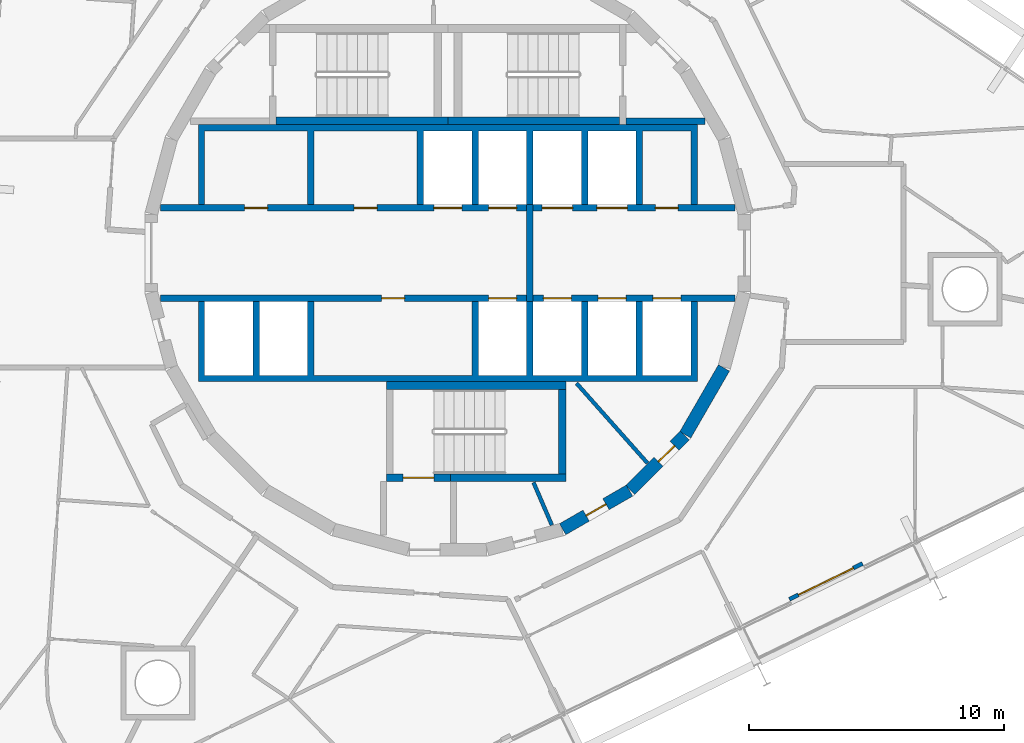
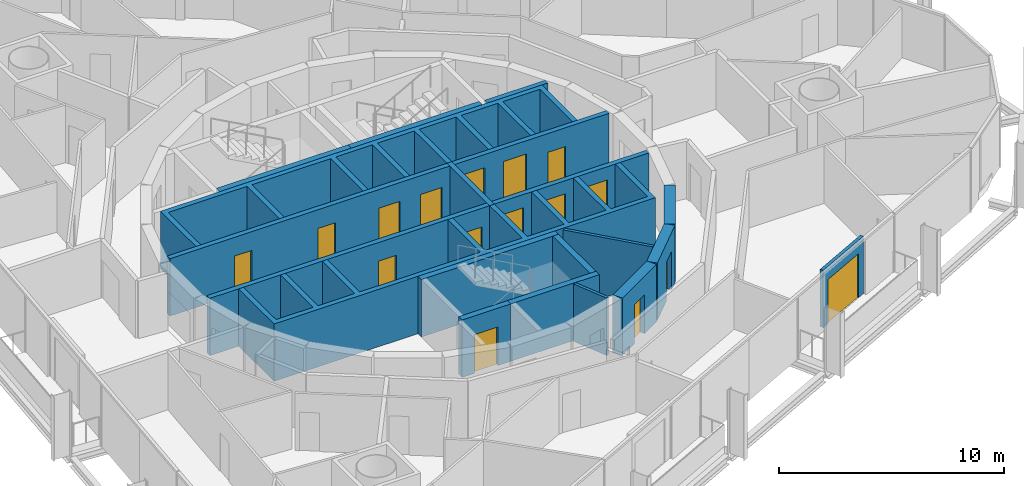
# One storey, part 13 of 17: 20 walls, 16 doors, 16 openings.
"""IFC4 building model written with IfcOpenShell, lengths in metres."""

import ifcopenshell
import ifcopenshell.guid

model = None  # the IFC model being written
_history = None  # IfcOwnerHistory: only IFC2X3 demands one
_inside = {}  # id of a spatial element -> (the spatial element, [elements in it])
_under = {}  # id of a project, library or spatial element -> (it, [spatial elements below it])
_declared = {}  # id of a project -> (the project, [libraries it declares])
_typed = {}  # id of a type object -> (the type object, [elements of that type])
_made_of = {}  # id of a material, layer set ... -> (it, [elements and type objects made of it])


def new_model(schema):
    """Start an empty IFC model of exactly this schema.

    Asked for "IFC4X3", IfcOpenShell would pick the latest addendum, in which some entities
    have other attributes; the version numbers below select the first issue.
    IFC2X3 requires an IfcOwnerHistory on every rooted entity: one is made here for all.
    """
    global model, _history
    if schema == "IFC4X3":
        model = ifcopenshell.file(schema_version=(4, 3, 0, 0))
    else:
        model = ifcopenshell.file(schema=schema)
    _inside.clear()
    _under.clear()
    _declared.clear()
    _typed.clear()
    _made_of.clear()
    _history = None
    if model.schema == "IFC2X3":
        org = make("IfcOrganization", Name="unknown")
        user = make(
            "IfcPersonAndOrganization",
            ThePerson=make("IfcPerson", FamilyName="unknown"),
            TheOrganization=org,
        )
        app = make(
            "IfcApplication",
            ApplicationDeveloper=org,
            Version="unknown",
            ApplicationFullName="unknown",
            ApplicationIdentifier="unknown",
        )
        _history = make(
            "IfcOwnerHistory",
            OwningUser=user,
            OwningApplication=app,
            ChangeAction="ADDED",
            CreationDate=0,
        )
    return model


def make(cls, **values):
    """One entity of the class cls with the attributes given. An attribute that is None is left unset."""
    return model.create_entity(
        cls, **{name: value for name, value in values.items() if value is not None}
    )


def rooted(cls, **values):
    """An entity with a GlobalId (a new one), such as an element, a storey or a relation."""
    return make(cls, GlobalId=ifcopenshell.guid.new(), OwnerHistory=_history, **values)


def si_unit(unit_type, name, prefix=None):
    """IfcSIUnit, for example si_unit("LENGTHUNIT", "METRE", prefix="MILLI")."""
    return make("IfcSIUnit", UnitType=unit_type, Prefix=prefix, Name=name)


def assignment(units):
    """IfcUnitAssignment: the units of a project."""
    return None if units is None else make("IfcUnitAssignment", Units=units)


def point(xyz):
    """IfcCartesianPoint."""
    return None if xyz is None else make("IfcCartesianPoint", Coordinates=xyz)


def direction(xyz):
    """IfcDirection."""
    return None if xyz is None else make("IfcDirection", DirectionRatios=xyz)


def frame(location, z_axis=None, x_axis=None):
    """IfcAxis2Placement3D, a coordinate frame: its origin and axes. An axis left out is left unset."""
    return make(
        "IfcAxis2Placement3D",
        Location=point(location),
        Axis=direction(z_axis),
        RefDirection=direction(x_axis),
    )


def frame_2d(location, x_axis=None):
    """IfcAxis2Placement2D, a coordinate frame in the plane: its origin and x axis."""
    return make(
        "IfcAxis2Placement2D", Location=point(location), RefDirection=direction(x_axis)
    )


def origin():
    """The frame at (0, 0, 0) with its axes left unset."""
    return frame((0.0, 0.0, 0.0))


def place(relative_to, where):
    """IfcLocalPlacement: puts the frame where relative to a parent placement (None: the world)."""
    return make(
        "IfcLocalPlacement", PlacementRelTo=relative_to, RelativePlacement=where
    )


def context(
    kind, dimensions, precision=None, world=None, true_north=None, identifier=None
):
    """IfcGeometricRepresentationContext, for example the 3D "Model" context."""
    return make(
        "IfcGeometricRepresentationContext",
        ContextIdentifier=identifier,
        ContextType=kind,
        CoordinateSpaceDimension=dimensions,
        Precision=precision,
        WorldCoordinateSystem=world,
        TrueNorth=true_north,
    )


def subcontext(parent, identifier, kind, view, scale=None):
    """IfcGeometricRepresentationSubContext, for example "Body" below "Model"."""
    return make(
        "IfcGeometricRepresentationSubContext",
        ContextIdentifier=identifier,
        ContextType=kind,
        ParentContext=parent,
        TargetScale=scale,
        TargetView=view,
    )


def project(units=None, contexts=None):
    """IfcProject with its units and contexts."""
    return rooted(
        "IfcProject",
        Name="project",
        RepresentationContexts=contexts,
        UnitsInContext=assignment(units),
    )


def spatial(cls, under=None, at=None, **own):
    """A site, building, storey or space (cls), placed at a placement, below another one or the project."""
    s = rooted(cls, ObjectPlacement=at, **own)
    if under is not None:
        _under.setdefault(under.id(), (under, []))[1].append(s)
    return s


def polyline(points):
    """IfcPolyline through the points."""
    return make("IfcPolyline", Points=[point(p) for p in points])


def profile(cls, at=None, kind="AREA", **sizes):
    """A parametric profile (cls). Its sizes go by their IFC names, for example OverallWidth=200.0."""
    return make(cls, ProfileType=kind, Position=at, **sizes)


def rectangle(**sizes):
    """IfcRectangleProfileDef."""
    return profile("IfcRectangleProfileDef", **sizes)


def outline(outer, holes=None, kind="AREA"):
    """IfcArbitraryClosedProfileDef: a profile drawn as a closed curve; with holes, ...WithVoids."""
    if holes is None:
        return make("IfcArbitraryClosedProfileDef", ProfileType=kind, OuterCurve=outer)
    return make(
        "IfcArbitraryProfileDefWithVoids",
        ProfileType=kind,
        OuterCurve=outer,
        InnerCurves=holes,
    )


def extrude(swept, where, along, depth):
    """IfcExtrudedAreaSolid: the profile swept, set in the frame where, extruded along a direction by depth."""
    return make(
        "IfcExtrudedAreaSolid",
        SweptArea=swept,
        Position=where,
        ExtrudedDirection=direction(along),
        Depth=depth,
    )


def shape(context_of_items, identifier, shape_type, items):
    """IfcShapeRepresentation: the items that make up one representation, for example the "Body"."""
    return make(
        "IfcShapeRepresentation",
        ContextOfItems=context_of_items,
        RepresentationIdentifier=identifier,
        RepresentationType=shape_type,
        Items=items,
    )


def material(Name=None, Category=None):
    """IfcMaterial."""
    return make("IfcMaterial", Name=Name, Category=Category)


def layer(
    of_material, thickness, ventilated=None, Name=None, Category=None, Priority=None
):
    """IfcMaterialLayer: one layer of a wall or slab, of a material (None: an air gap)."""
    return make(
        "IfcMaterialLayer",
        Material=of_material,
        LayerThickness=thickness,
        IsVentilated=ventilated,
        Name=Name,
        Category=Category,
        Priority=Priority,
    )


def layer_set(layers, Name=None):
    """IfcMaterialLayerSet."""
    return make("IfcMaterialLayerSet", MaterialLayers=layers, LayerSetName=Name)


def made_of(thing, what):
    """Note that an element or type object is made of a material, layer set ...; save() writes the relation."""
    if what is not None:
        _made_of.setdefault(what.id(), (what, []))[1].append(thing)
    return thing


def type_object(cls, material=None, **own):
    """A type object (cls), such as IfcWallType, which elements share."""
    return made_of(rooted(cls, **own), material)


def element(
    cls,
    number,
    at=None,
    inside=None,
    cuts=None,
    type_object=None,
    material=None,
    context=None,
    identifier="Body",
    shape_type=None,
    held_by="IfcProductDefinitionShape",
    body=None,
    shapes=None,
    **own,
):
    """One element of the class cls, such as IfcWall. Its Tag is "e" and its number.

    at: its placement. inside: the storey or other place that contains it. cuts: it is an
    opening in that element (IfcRelVoidsElement). A single representation is given by context,
    identifier, shape_type and body (its items); several are given by shapes. held_by: the class
    of the entity that holds the representations. save() writes the other relations.
    """
    e = rooted(cls, Tag="e%d" % number, ObjectPlacement=at, **own)
    if body is not None:
        shapes = [shape(context, identifier, shape_type, body)]
    if shapes is not None:
        e.Representation = make(held_by, Representations=shapes)
    if inside is not None:
        _inside.setdefault(inside.id(), (inside, []))[1].append(e)
    if cuts is not None:
        rooted(
            "IfcRelVoidsElement", RelatingBuildingElement=cuts, RelatedOpeningElement=e
        )
    if type_object is not None:
        _typed.setdefault(type_object.id(), (type_object, []))[1].append(e)
    return made_of(e, material)


def fill(opening, filler):
    """IfcRelFillsElement: the door or window that sits in an opening."""
    return rooted(
        "IfcRelFillsElement",
        RelatingOpeningElement=opening,
        RelatedBuildingElement=filler,
    )


def aggregate(whole, parts):
    """IfcRelAggregates: a whole, such as a stair, and the parts it consists of."""
    return rooted("IfcRelAggregates", RelatingObject=whole, RelatedObjects=parts)


def save(model, path):
    """Write the relations noted so far, then the file.

    IfcRelAggregates (storeys below a building ...), IfcRelContainedInSpatialStructure (elements
    in a storey), IfcRelDefinesByType, IfcRelAssociatesMaterial and IfcRelDeclares: one each for
    every whole, place, type object, material and project.
    """
    for whole, parts in _under.values():
        aggregate(whole, parts)
    for where, things in _inside.values():
        rooted(
            "IfcRelContainedInSpatialStructure",
            RelatedElements=things,
            RelatingStructure=where,
        )
    for kind, things in _typed.values():
        rooted("IfcRelDefinesByType", RelatedObjects=things, RelatingType=kind)
    for what, things in _made_of.values():
        rooted("IfcRelAssociatesMaterial", RelatedObjects=things, RelatingMaterial=what)
    for by, libraries in _declared.values():
        rooted("IfcRelDeclares", RelatingContext=by, RelatedDefinitions=libraries)
    model.write(path)


model = new_model("IFC4")

# Units and contexts
model_context = context("Model", 3, precision=1e-05, world=origin(), true_north=direction((0.0, 1.0)))
body_context = subcontext(model_context, "Body", "Model", "MODEL_VIEW")
ifc_project = project(units=[si_unit("LENGTHUNIT", "METRE"), si_unit("AREAUNIT", "SQUARE_METRE"), si_unit("VOLUMEUNIT", "CUBIC_METRE"), si_unit("PLANEANGLEUNIT", "RADIAN"), si_unit("MASSUNIT", "GRAM", prefix="KILO")], contexts=[model_context])

# Site, building, storey
site_placement = place(None, origin())
site = spatial("IfcSite", under=ifc_project, at=site_placement, CompositionType="ELEMENT")
building_placement = place(site_placement, origin())
building = spatial("IfcBuilding", under=site, at=building_placement, Name="Spindle Arch Residences", CompositionType="ELEMENT")
storey_placement = place(building_placement, frame((0.0, 0.0, 209.39990234375)))
storey = spatial("IfcBuildingStorey", under=building, at=storey_placement, Name="L53", CompositionType="ELEMENT", Elevation=209.39990234375)

# Wall, opening, door
ifc_material_1 = material(Name="Concrete C50/60", Category="concrete")
ifc_layer_1 = layer(ifc_material_1, 0.5)
ifc_layer_set_1 = layer_set([ifc_layer_1], Name="Core outline wall 500")
wall_type_1 = type_object("IfcWallType", Name="Core outline wall 500", PredefinedType="SHEAR", material=ifc_layer_set_1)
wall_1_placement = place(storey_placement, frame((4.510498046875, -10.84521484375, 0.0), z_axis=(0.0, 0.0, 1.0), x_axis=(0.865975092491, 0.500087131594, 0.0)))
wall_1 = element("IfcWall", 1, at=wall_1_placement, inside=storey, type_object=wall_type_1, Name="Core outline wall 2", PredefinedType="SHEAR", context=body_context, shape_type="SweptSolid", body=[
    extrude(rectangle(XDim=3.03271484375, YDim=0.5, at=frame_2d((1.516357421875, 0.0))), origin(), (0.0, 0.0, 1.0), 3.1201171875),
])
opening_1_placement = place(wall_1_placement, frame((1.06640625, 0.0, 0.0)))
opening_1 = element("IfcOpeningElement", 2, at=opening_1_placement, cuts=wall_1, Name="Opening R5C0-WD08", PredefinedType="OPENING", context=body_context, shape_type="SweptSolid", body=[
    extrude(rectangle(XDim=0.89990234375, YDim=2.10009765625, at=frame_2d((0.449951171875, 1.050048828125))), frame((0.0, 0.260009765625, 0.0), z_axis=(0.0, -1.0, 0.0), x_axis=(1.0, 0.0, 0.0)), (0.0, 0.0, 1.0), 0.52001953125),
])
ifc_material_2 = material(Name="Steel, fire-resisting door", Category="steel")
door_type_1 = type_object("IfcDoorType", Name="Service room door 900x2100", OperationType="SINGLE_SWING_LEFT", PredefinedType="DOOR", material=ifc_material_2)
door_1_placement = place(opening_1_placement, origin())
door_1 = element("IfcDoor", 3, at=door_1_placement, inside=storey, type_object=door_type_1, Name="Service room door R5C0-WD08", OperationType="SINGLE_SWING_RIGHT", OverallHeight=2.10009765625, OverallWidth=0.89990234375, PredefinedType="DOOR", context=body_context, shape_type="SweptSolid", body=[
    extrude(rectangle(XDim=0.89990234375, YDim=2.10009765625, at=frame_2d((0.449951171875, 1.050048828125))), frame((0.0, 0.02490234375, 0.0), z_axis=(0.0, -1.0, 0.0), x_axis=(1.0, 0.0, 0.0)), (0.0, 0.0, 1.0), 0.050048828125),
])
fill(opening_1, door_1)

wall_2_placement = place(storey_placement, frame((7.163818359375, -9.30810546875, 0.0), z_axis=(0.0, 0.0, 1.0), x_axis=(0.707106781187, 0.707106781187, 0.0)))
wall_2 = element("IfcWall", 4, at=wall_2_placement, inside=storey, type_object=wall_type_1, Name="Core outline wall 3", PredefinedType="SHEAR", context=body_context, shape_type="SweptSolid", body=[
    extrude(rectangle(XDim=3.032470703125, YDim=0.5, at=frame_2d((1.51611328125, 0.0))), origin(), (0.0, 0.0, 1.0), 3.1201171875),
])
opening_2_placement = place(wall_2_placement, frame((1.56640625, 0.0, 0.0)))
opening_2 = element("IfcOpeningElement", 5, at=opening_2_placement, cuts=wall_2, Name="Opening R5C0-WD06", PredefinedType="OPENING", context=body_context, shape_type="SweptSolid", body=[
    extrude(rectangle(XDim=0.89990234375, YDim=2.10009765625, at=frame_2d((0.449951171875, 1.050048828125))), frame((0.0, 0.260009765625, 0.0), z_axis=(0.0, -1.0, 0.0), x_axis=(1.0, 0.0, 0.0)), (0.0, 0.0, 1.0), 0.52001953125),
])
door_2_placement = place(opening_2_placement, origin())
door_2 = element("IfcDoor", 6, at=door_2_placement, inside=storey, type_object=door_type_1, Name="Service room door R5C0-WD06", OperationType="SINGLE_SWING_RIGHT", OverallHeight=2.10009765625, OverallWidth=0.89990234375, PredefinedType="DOOR", context=body_context, shape_type="SweptSolid", body=[
    extrude(rectangle(XDim=0.89990234375, YDim=2.10009765625, at=frame_2d((0.449951171875, 1.050048828125))), frame((0.0, 0.02490234375, 0.0), z_axis=(0.0, -1.0, 0.0), x_axis=(1.0, 0.0, 0.0)), (0.0, 0.0, 1.0), 0.050048828125),
])
fill(opening_2, door_2)

# Wall
wall_3_placement = place(storey_placement, frame((9.32861328125, -7.13671875, 0.0), z_axis=(0.0, 0.0, 1.0), x_axis=(0.500087131594, 0.865975092491, 0.0)))
element("IfcWall", 7, at=wall_3_placement, inside=storey, type_object=wall_type_1, Name="Core outline wall 4", PredefinedType="SHEAR", context=body_context, shape_type="SweptSolid", body=[
    extrude(rectangle(XDim=3.03271484375, YDim=0.5, at=frame_2d((1.516357421875, 0.0))), origin(), (0.0, 0.0, 1.0), 3.1201171875),
])

# Wall, openings, doors
ifc_material_3 = material(Name="Concrete C40/50", Category="concrete")
ifc_layer_2 = layer(ifc_material_3, 0.25)
ifc_layer_set_2 = layer_set([ifc_layer_2], Name="Fire-lift lobby wall 250")
wall_type_2 = type_object("IfcWallType", Name="Fire-lift lobby wall 250", PredefinedType="SHEAR", material=ifc_layer_set_2)
wall_4_placement = place(storey_placement, frame((3.35009765625, 1.77490234375, 0.0), z_axis=(0.0, 0.0, 1.0), x_axis=(1.0, 0.0, 0.0)))
wall_4 = element("IfcWall", 8, at=wall_4_placement, inside=storey, type_object=wall_type_2, Name="Lift shaft front wall NE", PredefinedType="SHEAR", context=body_context, shape_type="SweptSolid", body=[
    extrude(rectangle(XDim=7.929931640625, YDim=0.25, at=frame_2d((3.96484375, 0.0))), origin(), (0.0, 0.0, 1.0), 3.1201171875),
])
opening_3_placement = place(wall_4_placement, frame((0.35009765625, 0.0, 0.0)))
opening_3 = element("IfcOpeningElement", 9, at=opening_3_placement, cuts=wall_4, Name="Opening R5C0-SLD01", PredefinedType="OPENING", context=body_context, shape_type="SweptSolid", body=[
    extrude(rectangle(XDim=1.199951171875, YDim=2.39990234375, at=frame_2d((0.60009765625, 1.199951171875))), frame((0.0, 0.135009765625, 0.0), z_axis=(0.0, -1.0, 0.0), x_axis=(1.0, 0.0, 0.0)), (0.0, 0.0, 1.0), 0.27001953125),
])
opening_4_placement = place(wall_4_placement, frame((2.5, 0.0, 0.0)))
opening_4 = element("IfcOpeningElement", 10, at=opening_4_placement, cuts=wall_4, Name="Opening R5C0-SLD02", PredefinedType="OPENING", context=body_context, shape_type="SweptSolid", body=[
    extrude(rectangle(XDim=1.199951171875, YDim=2.39990234375, at=frame_2d((0.60009765625, 1.199951171875))), frame((0.0, 0.135009765625, 0.0), z_axis=(0.0, -1.0, 0.0), x_axis=(1.0, 0.0, 0.0)), (0.0, 0.0, 1.0), 0.27001953125),
])
opening_5_placement = place(wall_4_placement, frame((4.800048828125, 0.0, 0.0)))
opening_5 = element("IfcOpeningElement", 11, at=opening_5_placement, cuts=wall_4, Name="Opening R5C0-WD03", PredefinedType="OPENING", context=body_context, shape_type="SweptSolid", body=[
    extrude(rectangle(XDim=0.89990234375, YDim=2.10009765625, at=frame_2d((0.449951171875, 1.050048828125))), frame((0.0, 0.135009765625, 0.0), z_axis=(0.0, -1.0, 0.0), x_axis=(1.0, 0.0, 0.0)), (0.0, 0.0, 1.0), 0.27001953125),
])
ifc_material_4 = material(Name="Steel, fire-resisting landing door", Category="steel")
door_type_2 = type_object("IfcDoorType", Name="Service lift landing door 1200x2400", OperationType="DOUBLE_DOOR_SLIDING", PredefinedType="DOOR", material=ifc_material_4)
door_3_placement = place(opening_3_placement, origin())
door_3 = element("IfcDoor", 12, at=door_3_placement, inside=storey, type_object=door_type_2, Name="Service lift landing door R5C0-SLD01", OperationType="DOUBLE_DOOR_SLIDING", OverallHeight=2.39990234375, OverallWidth=1.199951171875, PredefinedType="DOOR", context=body_context, shape_type="SweptSolid", body=[
    extrude(rectangle(XDim=1.199951171875, YDim=2.39990234375, at=frame_2d((0.60009765625, 1.199951171875))), frame((0.0, 0.02490234375, 0.0), z_axis=(0.0, -1.0, 0.0), x_axis=(1.0, 0.0, 0.0)), (0.0, 0.0, 1.0), 0.050048828125),
])
fill(opening_3, door_3)
door_4_placement = place(opening_4_placement, origin())
door_4 = element("IfcDoor", 13, at=door_4_placement, inside=storey, type_object=door_type_2, Name="Service lift landing door R5C0-SLD02", OperationType="DOUBLE_DOOR_SLIDING", OverallHeight=2.39990234375, OverallWidth=1.199951171875, PredefinedType="DOOR", context=body_context, shape_type="SweptSolid", body=[
    extrude(rectangle(XDim=1.199951171875, YDim=2.39990234375, at=frame_2d((0.60009765625, 1.199951171875))), frame((0.0, 0.02490234375, 0.0), z_axis=(0.0, -1.0, 0.0), x_axis=(1.0, 0.0, 0.0)), (0.0, 0.0, 1.0), 0.050048828125),
])
fill(opening_4, door_4)
door_5_placement = place(opening_5_placement, origin())
door_5 = element("IfcDoor", 14, at=door_5_placement, inside=storey, type_object=door_type_1, Name="Service room door R5C0-WD03", OperationType="SINGLE_SWING_LEFT", OverallHeight=2.10009765625, OverallWidth=0.89990234375, PredefinedType="DOOR", context=body_context, shape_type="SweptSolid", body=[
    extrude(rectangle(XDim=0.89990234375, YDim=2.10009765625, at=frame_2d((0.449951171875, 1.050048828125))), frame((0.0, 0.02490234375, 0.0), z_axis=(0.0, -1.0, 0.0), x_axis=(1.0, 0.0, 0.0)), (0.0, 0.0, 1.0), 0.050048828125),
])
fill(opening_5, door_5)

# Wall
wall_5_placement = place(storey_placement, frame((3.22509765625, -1.89990234375, 0.0), z_axis=(0.0, 0.0, 1.0), x_axis=(0.0, 1.0, 0.0)))
element("IfcWall", 15, at=wall_5_placement, inside=storey, type_object=wall_type_2, Name="Fire-fighting lobby partition", PredefinedType="SHEAR", context=body_context, shape_type="SweptSolid", body=[
    extrude(rectangle(XDim=3.7998046875, YDim=0.25, at=frame_2d((1.89990234375, 0.0))), origin(), (0.0, 0.0, 1.0), 3.1201171875),
])

# Wall, openings, doors
ifc_material_5 = material(Name="Concrete C50/60", Category="concrete")
ifc_layer_3 = layer(ifc_material_5, 0.25)
ifc_layer_set_3 = layer_set([ifc_layer_3], Name="Fire-lift shaft wall 250")
wall_type_3 = type_object("IfcWallType", Name="Fire-lift shaft wall 250", PredefinedType="SHEAR", material=ifc_layer_set_3)
wall_6_placement = place(storey_placement, frame((3.35009765625, -1.77490234375, 0.0), z_axis=(0.0, 0.0, 1.0), x_axis=(1.0, 0.0, 0.0)))
wall_6 = element("IfcWall", 16, at=wall_6_placement, inside=storey, type_object=wall_type_3, Name="Lift shaft front wall SE", PredefinedType="SHEAR", context=body_context, shape_type="SweptSolid", body=[
    extrude(rectangle(XDim=7.929931640625, YDim=0.25, at=frame_2d((3.96484375, 0.0))), origin(), (0.0, 0.0, 1.0), 3.1201171875),
])
opening_6_placement = place(wall_6_placement, frame((0.39990234375, 0.0, 0.0)))
opening_6 = element("IfcOpeningElement", 17, at=opening_6_placement, cuts=wall_6, Name="Opening R5C0-FLD01", PredefinedType="OPENING", context=body_context, shape_type="SweptSolid", body=[
    extrude(rectangle(XDim=1.10009765625, YDim=2.39990234375, at=frame_2d((0.550048828125, 1.199951171875))), frame((0.0, 0.135009765625, 0.0), z_axis=(0.0, -1.0, 0.0), x_axis=(1.0, 0.0, 0.0)), (0.0, 0.0, 1.0), 0.27001953125),
])
opening_7_placement = place(wall_6_placement, frame((2.550048828125, 0.0, 0.0)))
opening_7 = element("IfcOpeningElement", 18, at=opening_7_placement, cuts=wall_6, Name="Opening R5C0-FLD02", PredefinedType="OPENING", context=body_context, shape_type="SweptSolid", body=[
    extrude(rectangle(XDim=1.10009765625, YDim=2.39990234375, at=frame_2d((0.550048828125, 1.199951171875))), frame((0.0, 0.135009765625, 0.0), z_axis=(0.0, -1.0, 0.0), x_axis=(1.0, 0.0, 0.0)), (0.0, 0.0, 1.0), 0.27001953125),
])
opening_8_placement = place(wall_6_placement, frame((4.699951171875, 0.0, 0.0)))
opening_8 = element("IfcOpeningElement", 19, at=opening_8_placement, cuts=wall_6, Name="Opening R5C0-FLD03", PredefinedType="OPENING", context=body_context, shape_type="SweptSolid", body=[
    extrude(rectangle(XDim=1.10009765625, YDim=2.39990234375, at=frame_2d((0.550048828125, 1.199951171875))), frame((0.0, 0.135009765625, 0.0), z_axis=(0.0, -1.0, 0.0), x_axis=(1.0, 0.0, 0.0)), (0.0, 0.0, 1.0), 0.27001953125),
])
ifc_material_6 = material(Name="Steel, fire-resisting landing door", Category="steel")
door_type_3 = type_object("IfcDoorType", Name="Fire-fighting lift landing door 1100x2400", OperationType="DOUBLE_DOOR_SLIDING", PredefinedType="DOOR", material=ifc_material_6)
door_6_placement = place(opening_6_placement, origin())
door_6 = element("IfcDoor", 20, at=door_6_placement, inside=storey, type_object=door_type_3, Name="Fire-fighting lift landing door R5C0-FLD01", OperationType="DOUBLE_DOOR_SLIDING", OverallHeight=2.39990234375, OverallWidth=1.10009765625, PredefinedType="DOOR", context=body_context, shape_type="SweptSolid", body=[
    extrude(rectangle(XDim=1.10009765625, YDim=2.39990234375, at=frame_2d((0.550048828125, 1.199951171875))), frame((0.0, 0.02490234375, 0.0), z_axis=(0.0, -1.0, 0.0), x_axis=(1.0, 0.0, 0.0)), (0.0, 0.0, 1.0), 0.050048828125),
])
fill(opening_6, door_6)
door_7_placement = place(opening_7_placement, origin())
door_7 = element("IfcDoor", 21, at=door_7_placement, inside=storey, type_object=door_type_3, Name="Fire-fighting lift landing door R5C0-FLD02", OperationType="DOUBLE_DOOR_SLIDING", OverallHeight=2.39990234375, OverallWidth=1.10009765625, PredefinedType="DOOR", context=body_context, shape_type="SweptSolid", body=[
    extrude(rectangle(XDim=1.10009765625, YDim=2.39990234375, at=frame_2d((0.550048828125, 1.199951171875))), frame((0.0, 0.02490234375, 0.0), z_axis=(0.0, -1.0, 0.0), x_axis=(1.0, 0.0, 0.0)), (0.0, 0.0, 1.0), 0.050048828125),
])
fill(opening_7, door_7)
door_8_placement = place(opening_8_placement, origin())
door_8 = element("IfcDoor", 22, at=door_8_placement, inside=storey, type_object=door_type_3, Name="Fire-fighting lift landing door R5C0-FLD03", OperationType="DOUBLE_DOOR_SLIDING", OverallHeight=2.39990234375, OverallWidth=1.10009765625, PredefinedType="DOOR", context=body_context, shape_type="SweptSolid", body=[
    extrude(rectangle(XDim=1.10009765625, YDim=2.39990234375, at=frame_2d((0.550048828125, 1.199951171875))), frame((0.0, 0.02490234375, 0.0), z_axis=(0.0, -1.0, 0.0), x_axis=(1.0, 0.0, 0.0)), (0.0, 0.0, 1.0), 0.050048828125),
])
fill(opening_8, door_8)

# Wall, opening, door
ifc_material_7 = material(Name="Non-combustible mineral wool insulated aluminium faced external wall (K0)", Category="aluminium")
ifc_layer_4 = layer(ifc_material_7, 0.159912109375)
ifc_layer_set_4 = layer_set([ifc_layer_4], Name="Insulated external wall panel 160")
wall_type_4 = type_object("IfcWallType", Name="Insulated external wall panel 160", PredefinedType="STANDARD", material=ifc_layer_set_4)
wall_7_placement = place(storey_placement, frame((13.411865234375, -13.59765625, 0.0), z_axis=(0.0, 0.0, 1.0), x_axis=(0.898793373747, 0.438372525723, 0.0)))
wall_7 = element("IfcWall", 23, at=wall_7_placement, inside=storey, type_object=wall_type_4, Name="External wall L53 bay 1", PredefinedType="STANDARD", context=body_context, shape_type="SweptSolid", body=[
    extrude(rectangle(XDim=3.2001953125, YDim=0.159912109375, at=frame_2d((1.60009765625, 0.0))), origin(), (0.0, 0.0, 1.0), 3.1201171875),
])
opening_9_placement = place(wall_7_placement, frame((0.39990234375, 0.0, 0.0)))
opening_9 = element("IfcOpeningElement", 24, at=opening_9_placement, cuts=wall_7, Name="Opening BD01", PredefinedType="OPENING", context=body_context, shape_type="SweptSolid", body=[
    extrude(rectangle(XDim=2.39990234375, YDim=2.39990234375, at=frame_2d((1.199951171875, 1.199951171875))), frame((0.0, 0.08984375, 0.0), z_axis=(0.0, -1.0, 0.0), x_axis=(1.0, 0.0, 0.0)), (0.0, 0.0, 1.0), 0.179931640625),
])
ifc_material_8 = material(Name="Bronze aluminium frame, tinted double glazing", Category="aluminium")
door_type_4 = type_object("IfcDoorType", Name="Sliding glazed balcony door 2400x2400", OperationType="DOUBLE_DOOR_SLIDING", PredefinedType="DOOR", material=ifc_material_8)
door_9_placement = place(opening_9_placement, origin())
door_9 = element("IfcDoor", 25, at=door_9_placement, inside=storey, type_object=door_type_4, Name="Balcony door BD01", OperationType="DOUBLE_DOOR_SLIDING", OverallHeight=2.39990234375, OverallWidth=2.39990234375, PredefinedType="DOOR", context=body_context, shape_type="SweptSolid", body=[
    extrude(rectangle(XDim=2.39990234375, YDim=2.39990234375, at=frame_2d((1.199951171875, 1.199951171875))), frame((0.0, 0.02490234375, 0.0), z_axis=(0.0, -1.0, 0.0), x_axis=(1.0, 0.0, 0.0)), (0.0, 0.0, 1.0), 0.050048828125),
])
fill(opening_9, door_9)

# Wall, openings, doors
ifc_material_9 = material(Name="Concrete C50/60", Category="concrete")
ifc_layer_5 = layer(ifc_material_9, 0.25)
ifc_layer_set_5 = layer_set([ifc_layer_5], Name="Lift shaft wall 250")
wall_type_5 = type_object("IfcWallType", Name="Lift shaft wall 250", PredefinedType="SHEAR", material=ifc_layer_set_5)
wall_8_placement = place(storey_placement, frame((-11.280029296875, 1.77490234375, 0.0), z_axis=(0.0, 0.0, 1.0), x_axis=(1.0, 0.0, 0.0)))
wall_8 = element("IfcWall", 26, at=wall_8_placement, inside=storey, type_object=wall_type_5, Name="Lift shaft front wall NW", PredefinedType="SHEAR", context=body_context, shape_type="SweptSolid", body=[
    extrude(rectangle(XDim=14.380126953125, YDim=0.25, at=frame_2d((7.18994140625, 0.0))), origin(), (0.0, 0.0, 1.0), 3.1201171875),
])
opening_10_placement = place(wall_8_placement, frame((10.72998046875, 0.0, 0.0)))
opening_10 = element("IfcOpeningElement", 27, at=opening_10_placement, cuts=wall_8, Name="Opening R5C0-LD01", PredefinedType="OPENING", context=body_context, shape_type="SweptSolid", body=[
    extrude(rectangle(XDim=1.10009765625, YDim=2.10009765625, at=frame_2d((0.550048828125, 1.050048828125))), frame((0.0, 0.135009765625, 0.0), z_axis=(0.0, -1.0, 0.0), x_axis=(1.0, 0.0, 0.0)), (0.0, 0.0, 1.0), 0.27001953125),
])
opening_11_placement = place(wall_8_placement, frame((12.8798828125, 0.0, 0.0)))
opening_11 = element("IfcOpeningElement", 28, at=opening_11_placement, cuts=wall_8, Name="Opening R5C0-LD02", PredefinedType="OPENING", context=body_context, shape_type="SweptSolid", body=[
    extrude(rectangle(XDim=1.10009765625, YDim=2.10009765625, at=frame_2d((0.550048828125, 1.050048828125))), frame((0.0, 0.135009765625, 0.0), z_axis=(0.0, -1.0, 0.0), x_axis=(1.0, 0.0, 0.0)), (0.0, 0.0, 1.0), 0.27001953125),
])
opening_12_placement = place(wall_8_placement, frame((3.304931640625, 0.0, 0.0)))
opening_12 = element("IfcOpeningElement", 29, at=opening_12_placement, cuts=wall_8, Name="Opening R5C0-WD01", PredefinedType="OPENING", context=body_context, shape_type="SweptSolid", body=[
    extrude(rectangle(XDim=0.89990234375, YDim=2.10009765625, at=frame_2d((0.449951171875, 1.050048828125))), frame((0.0, 0.135009765625, 0.0), z_axis=(0.0, -1.0, 0.0), x_axis=(1.0, 0.0, 0.0)), (0.0, 0.0, 1.0), 0.27001953125),
])
opening_13_placement = place(wall_8_placement, frame((7.60498046875, 0.0, 0.0)))
opening_13 = element("IfcOpeningElement", 30, at=opening_13_placement, cuts=wall_8, Name="Opening R5C0-WD02", PredefinedType="OPENING", context=body_context, shape_type="SweptSolid", body=[
    extrude(rectangle(XDim=0.89990234375, YDim=2.10009765625, at=frame_2d((0.449951171875, 1.050048828125))), frame((0.0, 0.135009765625, 0.0), z_axis=(0.0, -1.0, 0.0), x_axis=(1.0, 0.0, 0.0)), (0.0, 0.0, 1.0), 0.27001953125),
])
ifc_material_10 = material(Name="Steel, fire-resisting landing door", Category="steel")
door_type_5 = type_object("IfcDoorType", Name="Lift landing door 1100x2100", OperationType="DOUBLE_DOOR_SLIDING", PredefinedType="DOOR", material=ifc_material_10)
door_10_placement = place(opening_10_placement, origin())
door_10 = element("IfcDoor", 31, at=door_10_placement, inside=storey, type_object=door_type_5, Name="Lift landing door R5C0-LD01", OperationType="DOUBLE_DOOR_SLIDING", OverallHeight=2.10009765625, OverallWidth=1.10009765625, PredefinedType="DOOR", context=body_context, shape_type="SweptSolid", body=[
    extrude(rectangle(XDim=1.10009765625, YDim=2.10009765625, at=frame_2d((0.550048828125, 1.050048828125))), frame((0.0, 0.02490234375, 0.0), z_axis=(0.0, -1.0, 0.0), x_axis=(1.0, 0.0, 0.0)), (0.0, 0.0, 1.0), 0.050048828125),
])
fill(opening_10, door_10)
door_11_placement = place(opening_11_placement, origin())
door_11 = element("IfcDoor", 32, at=door_11_placement, inside=storey, type_object=door_type_5, Name="Lift landing door R5C0-LD02", OperationType="DOUBLE_DOOR_SLIDING", OverallHeight=2.10009765625, OverallWidth=1.10009765625, PredefinedType="DOOR", context=body_context, shape_type="SweptSolid", body=[
    extrude(rectangle(XDim=1.10009765625, YDim=2.10009765625, at=frame_2d((0.550048828125, 1.050048828125))), frame((0.0, 0.02490234375, 0.0), z_axis=(0.0, -1.0, 0.0), x_axis=(1.0, 0.0, 0.0)), (0.0, 0.0, 1.0), 0.050048828125),
])
fill(opening_11, door_11)
door_12_placement = place(opening_12_placement, origin())
door_12 = element("IfcDoor", 33, at=door_12_placement, inside=storey, type_object=door_type_1, Name="Service room door R5C0-WD01", OperationType="SINGLE_SWING_LEFT", OverallHeight=2.10009765625, OverallWidth=0.89990234375, PredefinedType="DOOR", context=body_context, shape_type="SweptSolid", body=[
    extrude(rectangle(XDim=0.89990234375, YDim=2.10009765625, at=frame_2d((0.449951171875, 1.050048828125))), frame((0.0, 0.02490234375, 0.0), z_axis=(0.0, -1.0, 0.0), x_axis=(1.0, 0.0, 0.0)), (0.0, 0.0, 1.0), 0.050048828125),
])
fill(opening_12, door_12)
door_13_placement = place(opening_13_placement, origin())
door_13 = element("IfcDoor", 34, at=door_13_placement, inside=storey, type_object=door_type_1, Name="Service room door R5C0-WD02", OperationType="SINGLE_SWING_RIGHT", OverallHeight=2.10009765625, OverallWidth=0.89990234375, PredefinedType="DOOR", context=body_context, shape_type="SweptSolid", body=[
    extrude(rectangle(XDim=0.89990234375, YDim=2.10009765625, at=frame_2d((0.449951171875, 1.050048828125))), frame((0.0, 0.02490234375, 0.0), z_axis=(0.0, -1.0, 0.0), x_axis=(1.0, 0.0, 0.0)), (0.0, 0.0, 1.0), 0.050048828125),
])
fill(opening_13, door_13)

wall_9_placement = place(storey_placement, frame((-11.280029296875, -1.77490234375, 0.0), z_axis=(0.0, 0.0, 1.0), x_axis=(1.0, 0.0, 0.0)))
wall_9 = element("IfcWall", 35, at=wall_9_placement, inside=storey, type_object=wall_type_5, Name="Lift shaft front wall SW", PredefinedType="SHEAR", context=body_context, shape_type="SweptSolid", body=[
    extrude(rectangle(XDim=14.380126953125, YDim=0.25, at=frame_2d((7.18994140625, 0.0))), origin(), (0.0, 0.0, 1.0), 3.1201171875),
])
opening_14_placement = place(wall_9_placement, frame((12.8798828125, 0.0, 0.0)))
opening_14 = element("IfcOpeningElement", 36, at=opening_14_placement, cuts=wall_9, Name="Opening R5C0-LD03", PredefinedType="OPENING", context=body_context, shape_type="SweptSolid", body=[
    extrude(rectangle(XDim=1.10009765625, YDim=2.10009765625, at=frame_2d((0.550048828125, 1.050048828125))), frame((0.0, 0.135009765625, 0.0), z_axis=(0.0, -1.0, 0.0), x_axis=(1.0, 0.0, 0.0)), (0.0, 0.0, 1.0), 0.27001953125),
])
opening_15_placement = place(wall_9_placement, frame((8.679931640625, 0.0, 0.0)))
opening_15 = element("IfcOpeningElement", 37, at=opening_15_placement, cuts=wall_9, Name="Opening R5C0-WD04", PredefinedType="OPENING", context=body_context, shape_type="SweptSolid", body=[
    extrude(rectangle(XDim=0.89990234375, YDim=2.10009765625, at=frame_2d((0.449951171875, 1.050048828125))), frame((0.0, 0.135009765625, 0.0), z_axis=(0.0, -1.0, 0.0), x_axis=(1.0, 0.0, 0.0)), (0.0, 0.0, 1.0), 0.27001953125),
])
door_14_placement = place(opening_14_placement, origin())
door_14 = element("IfcDoor", 38, at=door_14_placement, inside=storey, type_object=door_type_5, Name="Lift landing door R5C0-LD03", OperationType="DOUBLE_DOOR_SLIDING", OverallHeight=2.10009765625, OverallWidth=1.10009765625, PredefinedType="DOOR", context=body_context, shape_type="SweptSolid", body=[
    extrude(rectangle(XDim=1.10009765625, YDim=2.10009765625, at=frame_2d((0.550048828125, 1.050048828125))), frame((0.0, 0.02490234375, 0.0), z_axis=(0.0, -1.0, 0.0), x_axis=(1.0, 0.0, 0.0)), (0.0, 0.0, 1.0), 0.050048828125),
])
fill(opening_14, door_14)
door_15_placement = place(opening_15_placement, origin())
door_15 = element("IfcDoor", 39, at=door_15_placement, inside=storey, type_object=door_type_1, Name="Service room door R5C0-WD04", OperationType="SINGLE_SWING_RIGHT", OverallHeight=2.10009765625, OverallWidth=0.89990234375, PredefinedType="DOOR", context=body_context, shape_type="SweptSolid", body=[
    extrude(rectangle(XDim=0.89990234375, YDim=2.10009765625, at=frame_2d((0.449951171875, 1.050048828125))), frame((0.0, 0.02490234375, 0.0), z_axis=(0.0, -1.0, 0.0), x_axis=(1.0, 0.0, 0.0)), (0.0, 0.0, 1.0), 0.050048828125),
])
fill(opening_15, door_15)

# Walls
ifc_material_11 = material(Name="Concrete C50/60", Category="concrete")
wall_type_6 = type_object("IfcWallType", Name="Lift shaft wall profile", PredefinedType="SHEAR", material=ifc_material_11)
wall_10_placement = place(storey_placement, origin())
element("IfcWall", 40, at=wall_10_placement, inside=storey, type_object=wall_type_6, Name="Lift shaft walls N", PredefinedType="SHEAR", context=body_context, shape_type="SweptSolid", body=[
    extrude(outline(polyline([(-9.550048828125, 4.800048828125), (-5.5, 4.800048828125), (-5.5, 1.89990234375), (-5.25, 1.89990234375), (-5.25, 4.800048828125), (-1.199951171875, 4.800048828125), (-1.199951171875, 1.89990234375), (-0.949951171875, 1.89990234375), (-0.949951171875, 4.800048828125), (0.949951171875, 4.800048828125), (0.949951171875, 1.89990234375), (1.199951171875, 1.89990234375), (1.199951171875, 4.800048828125), (3.10009765625, 4.800048828125), (3.10009765625, 1.89990234375), (3.35009765625, 1.89990234375), (3.35009765625, 4.800048828125), (5.25, 4.800048828125), (5.25, 1.89990234375), (5.5, 1.89990234375), (5.5, 4.800048828125), (7.39990234375, 4.800048828125), (7.39990234375, 1.89990234375), (7.64990234375, 1.89990234375), (7.64990234375, 4.800048828125), (9.550048828125, 4.800048828125), (9.550048828125, 1.89990234375), (9.800048828125, 1.89990234375), (9.800048828125, 4.800048828125), (9.800048828125, 5.050048828125), (-9.800048828125, 5.050048828125), (-9.800048828125, 4.800048828125), (-9.800048828125, 1.89990234375), (-9.550048828125, 1.89990234375), (-9.550048828125, 4.800048828125)])), origin(), (0.0, 0.0, 1.0), 3.1201171875),
])
wall_11_placement = place(storey_placement, origin())
element("IfcWall", 41, at=wall_11_placement, inside=storey, type_object=wall_type_6, Name="Lift shaft walls S", PredefinedType="SHEAR", context=body_context, shape_type="SweptSolid", body=[
    extrude(outline(polyline([(9.800048828125, -5.050048828125), (9.800048828125, -4.800048828125), (9.800048828125, -1.89990234375), (9.550048828125, -1.89990234375), (9.550048828125, -4.800048828125), (7.64990234375, -4.800048828125), (7.64990234375, -1.89990234375), (7.39990234375, -1.89990234375), (7.39990234375, -4.800048828125), (5.5, -4.800048828125), (5.5, -1.89990234375), (5.25, -1.89990234375), (5.25, -4.800048828125), (3.35009765625, -4.800048828125), (3.35009765625, -1.89990234375), (3.10009765625, -1.89990234375), (3.10009765625, -4.800048828125), (1.199951171875, -4.800048828125), (1.199951171875, -1.89990234375), (0.949951171875, -1.89990234375), (0.949951171875, -4.800048828125), (-5.25, -4.800048828125), (-5.25, -1.89990234375), (-5.5, -1.89990234375), (-5.5, -4.800048828125), (-7.39990234375, -4.800048828125), (-7.39990234375, -1.89990234375), (-7.64990234375, -1.89990234375), (-7.64990234375, -4.800048828125), (-9.550048828125, -4.800048828125), (-9.550048828125, -1.89990234375), (-9.800048828125, -1.89990234375), (-9.800048828125, -4.800048828125), (-9.800048828125, -5.050048828125), (9.800048828125, -5.050048828125)])), origin(), (0.0, 0.0, 1.0), 3.1201171875),
])
ifc_material_12 = material(Name="Concrete C25/30", Category="concrete")
ifc_layer_6 = layer(ifc_material_12, 0.14990234375)
ifc_layer_set_6 = layer_set([ifc_layer_6], Name="Service room partition 150")
wall_type_7 = type_object("IfcWallType", Name="Service room partition 150", PredefinedType="PARTITIONING", material=ifc_layer_set_6)
wall_12_placement = place(storey_placement, frame((7.84228515625, -8.24755859375, 0.0), z_axis=(0.0, 0.0, 1.0), x_axis=(-0.66446128181, 0.747322691329, 0.0)))
element("IfcWall", 42, at=wall_12_placement, inside=storey, type_object=wall_type_7, Name="Core service room partition", PredefinedType="PARTITIONING", context=body_context, shape_type="SweptSolid", body=[
    extrude(rectangle(XDim=4.198486328125, YDim=0.14990234375, at=frame_2d((2.09912109375, 0.0))), origin(), (0.0, 0.0, 1.0), 3.1201171875),
])
wall_13_placement = place(storey_placement, frame((3.366943359375, -9.0068359375, 0.0), z_axis=(0.0, 0.0, 1.0), x_axis=(0.394387482265, -0.918944238696, 0.0)))
element("IfcWall", 43, at=wall_13_placement, inside=storey, type_object=wall_type_7, Name="Core service room partition", PredefinedType="PARTITIONING", context=body_context, shape_type="SweptSolid", body=[
    extrude(rectangle(XDim=1.824951171875, YDim=0.14990234375, at=frame_2d((0.91259765625, 0.0))), origin(), (0.0, 0.0, 1.0), 3.1201171875),
])
ifc_material_13 = material(Name="Concrete C40/50", Category="concrete")
ifc_layer_7 = layer(ifc_material_13, 0.25)
ifc_layer_set_7 = layer_set([ifc_layer_7], Name="Stair airlock wall 250")
wall_type_8 = type_object("IfcWallType", Name="Stair airlock wall 250", PredefinedType="SHEAR", material=ifc_layer_set_7)
wall_14_placement = place(storey_placement, frame((7.0, 5.175048828125, 0.0), z_axis=(0.0, 0.0, 1.0), x_axis=(1.0, 0.0, 0.0)))
element("IfcWall", 44, at=wall_14_placement, inside=storey, type_object=wall_type_8, Name="Stair ST-1 airlock wall S", PredefinedType="SHEAR", context=body_context, shape_type="SweptSolid", body=[
    extrude(rectangle(XDim=3.10009765625, YDim=0.25, at=frame_2d((1.550048828125, 0.0))), origin(), (0.0, 0.0, 1.0), 3.1201171875),
])
ifc_material_14 = material(Name="Concrete C50/60", Category="concrete")
ifc_layer_8 = layer(ifc_material_14, 0.300048828125)
ifc_layer_set_8 = layer_set([ifc_layer_8], Name="Stair enclosure wall 300")
wall_type_9 = type_object("IfcWallType", Name="Stair enclosure wall 300", PredefinedType="SHEAR", material=ifc_layer_set_8)
for number, where, z_axis, x_axis, name in (
    (45, (0.0, 5.199951171875, 0.0), (0.0, 0.0, 1.0), (1.0, 0.0, 0.0), "Stair ST-1 enclosure wall S"),
    (46, (-6.75, 5.199951171875, 0.0), (0.0, 0.0, 1.0), (1.0, 0.0, 0.0), "Stair ST-2 enclosure wall S"),
):
    element("IfcWall", number, at=place(storey_placement, frame(where, z_axis=z_axis, x_axis=x_axis)), inside=storey, type_object=wall_type_9, Name=name, PredefinedType="SHEAR", context=body_context, shape_type="SweptSolid", body=[
        extrude(rectangle(XDim=6.75, YDim=0.300048828125, at=frame_2d((3.375, 0.0))), origin(), (0.0, 0.0, 1.0), 3.1201171875),
    ])
wall_15_placement = place(storey_placement, frame((-2.39990234375, -5.199951171875, 0.0), z_axis=(0.0, 0.0, 1.0), x_axis=(1.0, 0.0, 0.0)))
element("IfcWall", 47, at=wall_15_placement, inside=storey, type_object=wall_type_9, Name="Stair ST-3 enclosure wall N", PredefinedType="SHEAR", context=body_context, shape_type="SweptSolid", body=[
    extrude(rectangle(XDim=7.0498046875, YDim=0.300048828125, at=frame_2d((3.52490234375, 0.0))), origin(), (0.0, 0.0, 1.0), 3.1201171875),
])
wall_16_placement = place(storey_placement, frame((4.5, -8.669921875, 0.0), z_axis=(0.0, 0.0, 1.0), x_axis=(0.0, 1.0, 0.0)))
element("IfcWall", 48, at=wall_16_placement, inside=storey, type_object=wall_type_9, Name="Stair ST-3 enclosure wall E", PredefinedType="SHEAR", context=body_context, shape_type="SweptSolid", body=[
    extrude(rectangle(XDim=3.31982421875, YDim=0.300048828125, at=frame_2d((1.659912109375, 0.0))), origin(), (0.0, 0.0, 1.0), 3.1201171875),
])
wall_17_placement = place(storey_placement, frame((0.10009765625, -8.820068359375, 0.0), z_axis=(0.0, 0.0, 1.0), x_axis=(1.0, 0.0, 0.0)))
element("IfcWall", 49, at=wall_17_placement, inside=storey, type_object=wall_type_9, Name="Stair ST-3 enclosure wall S", PredefinedType="SHEAR", context=body_context, shape_type="SweptSolid", body=[
    extrude(rectangle(XDim=4.5498046875, YDim=0.300048828125, at=frame_2d((2.27490234375, 0.0))), origin(), (0.0, 0.0, 1.0), 3.1201171875),
])

# Wall, opening, door
wall_18_placement = place(storey_placement, frame((-2.39990234375, -8.820068359375, 0.0), z_axis=(0.0, 0.0, 1.0), x_axis=(1.0, 0.0, 0.0)))
wall_18 = element("IfcWall", 50, at=wall_18_placement, inside=storey, type_object=wall_type_9, Name="Stair ST-3 door wall", PredefinedType="SHEAR", context=body_context, shape_type="SweptSolid", body=[
    extrude(rectangle(XDim=2.5, YDim=0.300048828125, at=frame_2d((1.25, 0.0))), origin(), (0.0, 0.0, 1.0), 3.1201171875),
])
opening_16_placement = place(wall_18_placement, frame((0.64990234375, 0.0, 0.0)))
opening_16 = element("IfcOpeningElement", 51, at=opening_16_placement, cuts=wall_18, Name="Opening R5C0-SD03", PredefinedType="OPENING", context=body_context, shape_type="SweptSolid", body=[
    extrude(rectangle(XDim=1.199951171875, YDim=2.10009765625, at=frame_2d((0.60009765625, 1.050048828125))), frame((0.0, 0.16015625, 0.0), z_axis=(0.0, -1.0, 0.0), x_axis=(1.0, 0.0, 0.0)), (0.0, 0.0, 1.0), 0.320068359375),
])
ifc_material_15 = material(Name="Steel, fire-resisting door", Category="steel")
door_type_6 = type_object("IfcDoorType", Name="Stair door 1200x2100", OperationType="SINGLE_SWING_RIGHT", PredefinedType="DOOR", material=ifc_material_15)
door_16_placement = place(opening_16_placement, origin())
door_16 = element("IfcDoor", 52, at=door_16_placement, inside=storey, type_object=door_type_6, Name="Stair door R5C0-SD03", OperationType="SINGLE_SWING_LEFT", OverallHeight=2.10009765625, OverallWidth=1.199951171875, PredefinedType="DOOR", context=body_context, shape_type="SweptSolid", body=[
    extrude(rectangle(XDim=1.199951171875, YDim=2.10009765625, at=frame_2d((0.60009765625, 1.050048828125))), frame((0.0, 0.02490234375, 0.0), z_axis=(0.0, -1.0, 0.0), x_axis=(1.0, 0.0, 0.0)), (0.0, 0.0, 1.0), 0.050048828125),
])
fill(opening_16, door_16)

save(model, "model.ifc")
